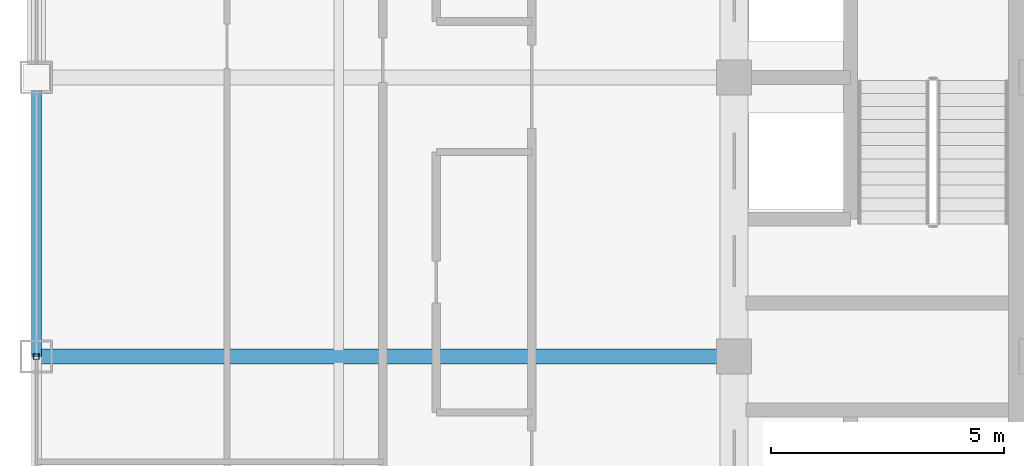
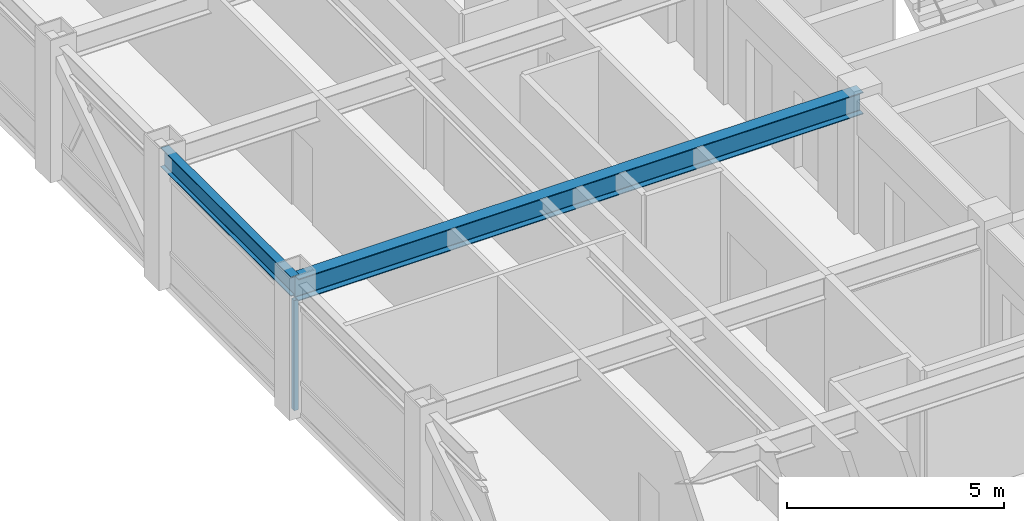
# One storey, part 6 of 29: 2 beams, 1 member, 1 element without a shape of its own.
"""IFC4 building model written with IfcOpenShell, lengths in metres."""

from ifc_helpers import new_model, si_unit, direction, frame, origin, origin_2d, place, context, subcontext, project, spatial, hollow_rectangle, i_section, extrude, source, transform, mapped, material, material_profile, profile_set, type_object, element, aggregate, save


model = new_model("IFC4")

# Units and contexts
model_context = context("Model", 3, precision=1e-05, world=origin(), true_north=direction((0.0, 1.0)))
body_context = subcontext(model_context, "Body", "Model", "MODEL_VIEW")
ifc_project = project(units=[si_unit("LENGTHUNIT", "METRE"), si_unit("AREAUNIT", "SQUARE_METRE"), si_unit("VOLUMEUNIT", "CUBIC_METRE"), si_unit("PLANEANGLEUNIT", "RADIAN"), si_unit("MASSUNIT", "GRAM", prefix="KILO")], contexts=[model_context])

# Site, building, storey
site_placement = place(None, origin())
site = spatial("IfcSite", under=ifc_project, at=site_placement, CompositionType="ELEMENT")
building_placement = place(site_placement, origin())
building = spatial("IfcBuilding", under=site, at=building_placement, Name="Khorayat Bourse Tower", CompositionType="ELEMENT")
storey_placement = place(building_placement, frame((0.0, 0.0, 358.300048828125)))
storey = spatial("IfcBuildingStorey", under=building, at=storey_placement, Name="L85", CompositionType="ELEMENT", Elevation=358.300048828125)

# Beams
ifc_material_1 = material(Name="Steel ASTM A992 Grade 50", Category="steel")
ifc_material_profile_1 = material_profile(ifc_material_1, i_section(OverallWidth=0.214111328125, OverallDepth=0.549072265625, WebThickness=0.0146484375, FlangeThickness=0.023681640625, FilletRadius=0.013916015625, at=origin_2d()), Name="W530X138")
ifc_profile_set_1 = profile_set([ifc_material_profile_1], Name="Steel ASTM A992 Grade 50")
beam_type_1 = type_object("IfcBeamType", Name="BM-SPAN-530", PredefinedType="SPANDREL", material=ifc_profile_set_1)
shared_shape_1 = source(origin(), body_context, "Body", "SweptSolid", [
    extrude(i_section(OverallWidth=0.214111328125, OverallDepth=0.549072265625, WebThickness=0.0146484375, FlangeThickness=0.023681640625, FilletRadius=0.013916015625, at=origin_2d()), origin(), (0.0, 0.0, 1.0), 6.0),
])
beam_1_placement = place(storey_placement, frame((-26.0, 0.0, 3.46533203125), z_axis=(0.0, 1.0, 0.0), x_axis=(-1.0, 0.0, 0.0)))
element("IfcBeam", 1, at=beam_1_placement, inside=storey, type_object=beam_type_1, Name="L85 BM-SPAN-530 BM-L85-SPN-050", PredefinedType="SPANDREL", context=body_context, shape_type="MappedRepresentation", body=[
    mapped(shared_shape_1, transform((0.0, 0.0, 0.0), scale=1.0)),
])
ifc_material_profile_2 = material_profile(ifc_material_1, i_section(OverallWidth=0.324951171875, OverallDepth=0.615966796875, WebThickness=0.013916015625, FlangeThickness=0.021484375, FilletRadius=0.01611328125, at=origin_2d()), Name="W610X174")
ifc_profile_set_2 = profile_set([ifc_material_profile_2], Name="Steel ASTM A992 Grade 50")
beam_type_2 = type_object("IfcBeamType", Name="BM-GIRD-610", PredefinedType="BEAM", material=ifc_profile_set_2)
shared_shape_2 = source(origin(), body_context, "Body", "SweptSolid", [
    extrude(i_section(OverallWidth=0.324951171875, OverallDepth=0.615966796875, WebThickness=0.013916015625, FlangeThickness=0.021484375, FilletRadius=0.01611328125, at=origin_2d()), origin(), (0.0, 0.0, 1.0), 15.0),
])
beam_2_placement = place(storey_placement, frame((-26.0, 0.0, 3.431884765625), z_axis=(1.0, 0.0, 0.0), x_axis=(0.0, 1.0, 0.0)))
element("IfcBeam", 2, at=beam_2_placement, inside=storey, type_object=beam_type_2, Name="L85 BM-GIRD-610 BM-L85-RADX-071", PredefinedType="BEAM", context=body_context, shape_type="MappedRepresentation", body=[
    mapped(shared_shape_2, transform((0.0, 0.0, 0.0), scale=1.0)),
])

# Curtain wall, member
ifc_material_2 = material(Name="Aluminium EN AW-6063 T6", Category="aluminium")
curtain_wall_type = type_object("IfcCurtainWallType", Name="CW-SYS-04", PredefinedType="NOTDEFINED", material=ifc_material_2)
curtain_wall_placement = place(storey_placement, origin())
curtain_wall = element("IfcCurtainWall", 3, at=curtain_wall_placement, inside=storey, type_object=curtain_wall_type, Name="L85 Curtain Wall CW-L85-W1", PredefinedType="NOTDEFINED")
ifc_material_profile_3 = material_profile(ifc_material_2, hollow_rectangle(XDim=0.1201171875, YDim=0.1201171875, WallThickness=0.0048828125, at=origin_2d()), Name="ALU 120x120x5")
ifc_profile_set_3 = profile_set([ifc_material_profile_3], Name="Aluminium EN AW-6063 T6")
member_type = type_object("IfcMemberType", Name="CWM-VERT-120", PredefinedType="MULLION", material=ifc_profile_set_3)
shared_shape_3 = source(origin(), body_context, "Body", "SweptSolid", [
    extrude(hollow_rectangle(XDim=0.1201171875, YDim=0.1201171875, WallThickness=0.0048828125, at=origin_2d()), origin(), (0.0, 0.0, 1.0), 3.08984375),
])
member_placement = place(storey_placement, frame((-26.0, 0.0, 0.0), z_axis=(0.0, 0.0, 1.0), x_axis=(-1.0, 0.0, 0.0)))
member = element("IfcMember", 4, at=member_placement, type_object=member_type, Name="CW-L85-W1 Vertical Mullion 2", PredefinedType="MULLION", context=body_context, shape_type="MappedRepresentation", body=[
    mapped(shared_shape_3, transform((0.0, 0.0, 0.0), scale=1.0)),
])
aggregate(curtain_wall, [member])

save(model, "model.ifc")
